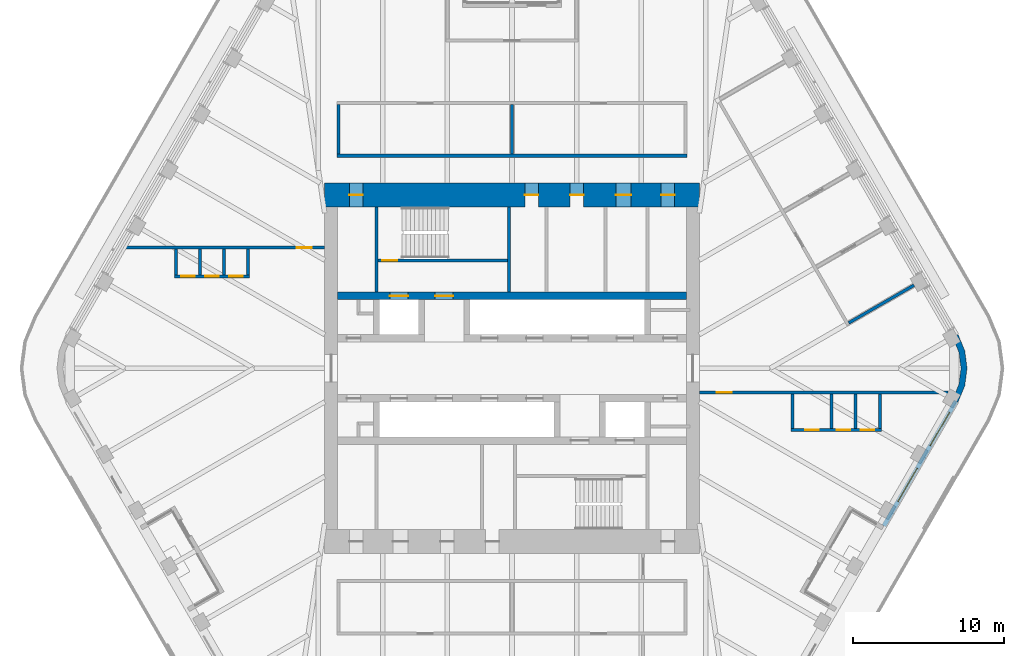
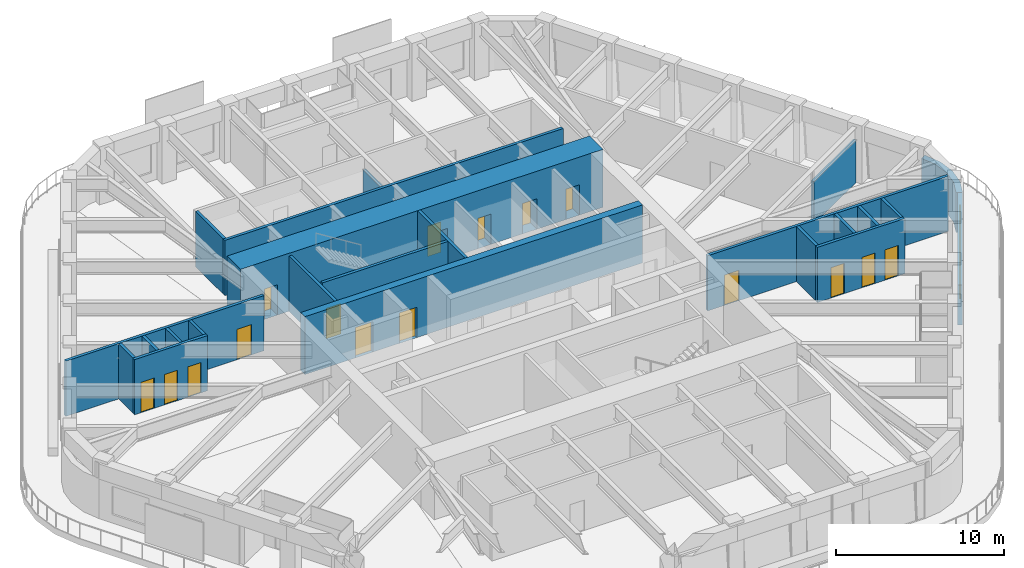
# One storey, part 15 of 19: 23 walls, 16 doors, 2 windows, 18 openings.
"""IFC4 building model written with IfcOpenShell, lengths in metres."""

import ifcopenshell
import ifcopenshell.guid

model = None  # the IFC model being written
_history = None  # IfcOwnerHistory: only IFC2X3 demands one
_inside = {}  # id of a spatial element -> (the spatial element, [elements in it])
_under = {}  # id of a project, library or spatial element -> (it, [spatial elements below it])
_declared = {}  # id of a project -> (the project, [libraries it declares])
_typed = {}  # id of a type object -> (the type object, [elements of that type])
_made_of = {}  # id of a material, layer set ... -> (it, [elements and type objects made of it])


def new_model(schema):
    """Start an empty IFC model of exactly this schema.

    Asked for "IFC4X3", IfcOpenShell would pick the latest addendum, in which some entities
    have other attributes; the version numbers below select the first issue.
    IFC2X3 requires an IfcOwnerHistory on every rooted entity: one is made here for all.
    """
    global model, _history
    if schema == "IFC4X3":
        model = ifcopenshell.file(schema_version=(4, 3, 0, 0))
    else:
        model = ifcopenshell.file(schema=schema)
    _inside.clear()
    _under.clear()
    _declared.clear()
    _typed.clear()
    _made_of.clear()
    _history = None
    if model.schema == "IFC2X3":
        org = make("IfcOrganization", Name="unknown")
        user = make(
            "IfcPersonAndOrganization",
            ThePerson=make("IfcPerson", FamilyName="unknown"),
            TheOrganization=org,
        )
        app = make(
            "IfcApplication",
            ApplicationDeveloper=org,
            Version="unknown",
            ApplicationFullName="unknown",
            ApplicationIdentifier="unknown",
        )
        _history = make(
            "IfcOwnerHistory",
            OwningUser=user,
            OwningApplication=app,
            ChangeAction="ADDED",
            CreationDate=0,
        )
    return model


def make(cls, **values):
    """One entity of the class cls with the attributes given. An attribute that is None is left unset."""
    return model.create_entity(
        cls, **{name: value for name, value in values.items() if value is not None}
    )


def rooted(cls, **values):
    """An entity with a GlobalId (a new one), such as an element, a storey or a relation."""
    return make(cls, GlobalId=ifcopenshell.guid.new(), OwnerHistory=_history, **values)


def si_unit(unit_type, name, prefix=None):
    """IfcSIUnit, for example si_unit("LENGTHUNIT", "METRE", prefix="MILLI")."""
    return make("IfcSIUnit", UnitType=unit_type, Prefix=prefix, Name=name)


def assignment(units):
    """IfcUnitAssignment: the units of a project."""
    return None if units is None else make("IfcUnitAssignment", Units=units)


def point(xyz):
    """IfcCartesianPoint."""
    return None if xyz is None else make("IfcCartesianPoint", Coordinates=xyz)


def direction(xyz):
    """IfcDirection."""
    return None if xyz is None else make("IfcDirection", DirectionRatios=xyz)


def frame(location, z_axis=None, x_axis=None):
    """IfcAxis2Placement3D, a coordinate frame: its origin and axes. An axis left out is left unset."""
    return make(
        "IfcAxis2Placement3D",
        Location=point(location),
        Axis=direction(z_axis),
        RefDirection=direction(x_axis),
    )


def frame_2d(location, x_axis=None):
    """IfcAxis2Placement2D, a coordinate frame in the plane: its origin and x axis."""
    return make(
        "IfcAxis2Placement2D", Location=point(location), RefDirection=direction(x_axis)
    )


def origin():
    """The frame at (0, 0, 0) with its axes left unset."""
    return frame((0.0, 0.0, 0.0))


def place(relative_to, where):
    """IfcLocalPlacement: puts the frame where relative to a parent placement (None: the world)."""
    return make(
        "IfcLocalPlacement", PlacementRelTo=relative_to, RelativePlacement=where
    )


def context(
    kind, dimensions, precision=None, world=None, true_north=None, identifier=None
):
    """IfcGeometricRepresentationContext, for example the 3D "Model" context."""
    return make(
        "IfcGeometricRepresentationContext",
        ContextIdentifier=identifier,
        ContextType=kind,
        CoordinateSpaceDimension=dimensions,
        Precision=precision,
        WorldCoordinateSystem=world,
        TrueNorth=true_north,
    )


def subcontext(parent, identifier, kind, view, scale=None):
    """IfcGeometricRepresentationSubContext, for example "Body" below "Model"."""
    return make(
        "IfcGeometricRepresentationSubContext",
        ContextIdentifier=identifier,
        ContextType=kind,
        ParentContext=parent,
        TargetScale=scale,
        TargetView=view,
    )


def project(units=None, contexts=None):
    """IfcProject with its units and contexts."""
    return rooted(
        "IfcProject",
        Name="project",
        RepresentationContexts=contexts,
        UnitsInContext=assignment(units),
    )


def spatial(cls, under=None, at=None, **own):
    """A site, building, storey or space (cls), placed at a placement, below another one or the project."""
    s = rooted(cls, ObjectPlacement=at, **own)
    if under is not None:
        _under.setdefault(under.id(), (under, []))[1].append(s)
    return s


def polyline(points):
    """IfcPolyline through the points."""
    return make("IfcPolyline", Points=[point(p) for p in points])


def profile(cls, at=None, kind="AREA", **sizes):
    """A parametric profile (cls). Its sizes go by their IFC names, for example OverallWidth=200.0."""
    return make(cls, ProfileType=kind, Position=at, **sizes)


def rectangle(**sizes):
    """IfcRectangleProfileDef."""
    return profile("IfcRectangleProfileDef", **sizes)


def outline(outer, holes=None, kind="AREA"):
    """IfcArbitraryClosedProfileDef: a profile drawn as a closed curve; with holes, ...WithVoids."""
    if holes is None:
        return make("IfcArbitraryClosedProfileDef", ProfileType=kind, OuterCurve=outer)
    return make(
        "IfcArbitraryProfileDefWithVoids",
        ProfileType=kind,
        OuterCurve=outer,
        InnerCurves=holes,
    )


def extrude(swept, where, along, depth):
    """IfcExtrudedAreaSolid: the profile swept, set in the frame where, extruded along a direction by depth."""
    return make(
        "IfcExtrudedAreaSolid",
        SweptArea=swept,
        Position=where,
        ExtrudedDirection=direction(along),
        Depth=depth,
    )


def shape(context_of_items, identifier, shape_type, items):
    """IfcShapeRepresentation: the items that make up one representation, for example the "Body"."""
    return make(
        "IfcShapeRepresentation",
        ContextOfItems=context_of_items,
        RepresentationIdentifier=identifier,
        RepresentationType=shape_type,
        Items=items,
    )


def material(Name=None, Category=None):
    """IfcMaterial."""
    return make("IfcMaterial", Name=Name, Category=Category)


def layer(
    of_material, thickness, ventilated=None, Name=None, Category=None, Priority=None
):
    """IfcMaterialLayer: one layer of a wall or slab, of a material (None: an air gap)."""
    return make(
        "IfcMaterialLayer",
        Material=of_material,
        LayerThickness=thickness,
        IsVentilated=ventilated,
        Name=Name,
        Category=Category,
        Priority=Priority,
    )


def layer_set(layers, Name=None):
    """IfcMaterialLayerSet."""
    return make("IfcMaterialLayerSet", MaterialLayers=layers, LayerSetName=Name)


def made_of(thing, what):
    """Note that an element or type object is made of a material, layer set ...; save() writes the relation."""
    if what is not None:
        _made_of.setdefault(what.id(), (what, []))[1].append(thing)
    return thing


def type_object(cls, material=None, **own):
    """A type object (cls), such as IfcWallType, which elements share."""
    return made_of(rooted(cls, **own), material)


def element(
    cls,
    number,
    at=None,
    inside=None,
    cuts=None,
    type_object=None,
    material=None,
    context=None,
    identifier="Body",
    shape_type=None,
    held_by="IfcProductDefinitionShape",
    body=None,
    shapes=None,
    **own,
):
    """One element of the class cls, such as IfcWall. Its Tag is "e" and its number.

    at: its placement. inside: the storey or other place that contains it. cuts: it is an
    opening in that element (IfcRelVoidsElement). A single representation is given by context,
    identifier, shape_type and body (its items); several are given by shapes. held_by: the class
    of the entity that holds the representations. save() writes the other relations.
    """
    e = rooted(cls, Tag="e%d" % number, ObjectPlacement=at, **own)
    if body is not None:
        shapes = [shape(context, identifier, shape_type, body)]
    if shapes is not None:
        e.Representation = make(held_by, Representations=shapes)
    if inside is not None:
        _inside.setdefault(inside.id(), (inside, []))[1].append(e)
    if cuts is not None:
        rooted(
            "IfcRelVoidsElement", RelatingBuildingElement=cuts, RelatedOpeningElement=e
        )
    if type_object is not None:
        _typed.setdefault(type_object.id(), (type_object, []))[1].append(e)
    return made_of(e, material)


def fill(opening, filler):
    """IfcRelFillsElement: the door or window that sits in an opening."""
    return rooted(
        "IfcRelFillsElement",
        RelatingOpeningElement=opening,
        RelatedBuildingElement=filler,
    )


def aggregate(whole, parts):
    """IfcRelAggregates: a whole, such as a stair, and the parts it consists of."""
    return rooted("IfcRelAggregates", RelatingObject=whole, RelatedObjects=parts)


def save(model, path):
    """Write the relations noted so far, then the file.

    IfcRelAggregates (storeys below a building ...), IfcRelContainedInSpatialStructure (elements
    in a storey), IfcRelDefinesByType, IfcRelAssociatesMaterial and IfcRelDeclares: one each for
    every whole, place, type object, material and project.
    """
    for whole, parts in _under.values():
        aggregate(whole, parts)
    for where, things in _inside.values():
        rooted(
            "IfcRelContainedInSpatialStructure",
            RelatedElements=things,
            RelatingStructure=where,
        )
    for kind, things in _typed.values():
        rooted("IfcRelDefinesByType", RelatedObjects=things, RelatingType=kind)
    for what, things in _made_of.values():
        rooted("IfcRelAssociatesMaterial", RelatedObjects=things, RelatingMaterial=what)
    for by, libraries in _declared.values():
        rooted("IfcRelDeclares", RelatingContext=by, RelatedDefinitions=libraries)
    model.write(path)


model = new_model("IFC4")

# Units and contexts
model_context = context("Model", 3, precision=1e-05, world=origin(), true_north=direction((0.0, 1.0)))
body_context = subcontext(model_context, "Body", "Model", "MODEL_VIEW")
ifc_project = project(units=[si_unit("LENGTHUNIT", "METRE"), si_unit("AREAUNIT", "SQUARE_METRE"), si_unit("VOLUMEUNIT", "CUBIC_METRE"), si_unit("PLANEANGLEUNIT", "RADIAN"), si_unit("MASSUNIT", "GRAM", prefix="KILO")], contexts=[model_context])

# Site, building, storey
site_placement = place(None, origin())
site = spatial("IfcSite", under=ifc_project, at=site_placement, CompositionType="ELEMENT")
building_placement = place(site_placement, origin())
building = spatial("IfcBuilding", under=site, at=building_placement, Name="Tarfa Lantern Tower", CompositionType="ELEMENT")
storey_placement = place(building_placement, frame((0.0, 0.0, 340.89990234375)))
storey = spatial("IfcBuildingStorey", under=building, at=storey_placement, Name="L77", CompositionType="ELEMENT", Elevation=340.89990234375)

# Wall, openings, windows
ifc_material_1 = material(Name="Limestone cladding on blockwork", Category="masonry")
ifc_layer_1 = layer(ifc_material_1, 0.300048828125)
ifc_layer_set_1 = layer_set([ifc_layer_1], Name="EW1 STONE-CLAD WALL 300")
wall_type_1 = type_object("IfcWallType", Name="EW1 STONE-CLAD WALL 300", PredefinedType="SOLIDWALL", material=ifc_layer_set_1)
wall_1_placement = place(storey_placement, frame((24.67724609375, -10.457763671875, 0.0), z_axis=(0.0, 0.0, 1.0), x_axis=(0.499996453679, 0.866027451244, 0.0)))
wall_1 = element("IfcWall", 1, at=wall_1_placement, inside=storey, type_object=wall_type_1, Name="Stone wall SEB", PredefinedType="SOLIDWALL", context=body_context, shape_type="SweptSolid", body=[
    extrude(rectangle(XDim=9.56396484375, YDim=0.300048828125, at=frame_2d((4.781982421875, 0.0))), origin(), (0.0, 0.0, 1.0), 2.900146484375),
])
opening_1_placement = place(wall_1_placement, frame((1.865966796875, 0.0, 0.60009765625)))
opening_1 = element("IfcOpeningElement", 2, at=opening_1_placement, cuts=wall_1, Name="Opening W17", PredefinedType="OPENING", context=body_context, shape_type="SweptSolid", body=[
    extrude(rectangle(XDim=2.550048828125, YDim=2.050048828125, at=frame_2d((1.27490234375, 1.02490234375))), frame((0.0, 0.159912109375, 0.0), z_axis=(0.0, -1.0, 0.0), x_axis=(1.0, 0.0, 0.0)), (0.0, 0.0, 1.0), 0.320068359375),
])
opening_2_placement = place(wall_1_placement, frame((6.14794921875, 0.0, 0.60009765625)))
opening_2 = element("IfcOpeningElement", 3, at=opening_2_placement, cuts=wall_1, Name="Opening W17", PredefinedType="OPENING", context=body_context, shape_type="SweptSolid", body=[
    extrude(rectangle(XDim=2.550048828125, YDim=2.050048828125, at=frame_2d((1.27490234375, 1.02490234375))), frame((0.0, 0.159912109375, 0.0), z_axis=(0.0, -1.0, 0.0), x_axis=(1.0, 0.0, 0.0)), (0.0, 0.0, 1.0), 0.320068359375),
])
ifc_material_2 = material(Name="Aluminium frame, double glazed", Category="aluminium")
window_type = type_object("IfcWindowType", Name="W17 FULL-HEIGHT GLAZING 2550x2050", PartitioningType="SINGLE_PANEL", PredefinedType="WINDOW", material=ifc_material_2)
window_1_placement = place(opening_1_placement, origin())
window_1 = element("IfcWindow", 4, at=window_1_placement, inside=storey, type_object=window_type, Name="Window SEB 1", OverallHeight=2.050048828125, OverallWidth=2.550048828125, PartitioningType="SINGLE_PANEL", PredefinedType="WINDOW", context=body_context, shape_type="SweptSolid", body=[
    extrude(rectangle(XDim=2.550048828125, YDim=2.050048828125, at=frame_2d((1.27490234375, 1.02490234375))), frame((0.0, 0.030029296875, 0.0), z_axis=(0.0, -1.0, 0.0), x_axis=(1.0, 0.0, 0.0)), (0.0, 0.0, 1.0), 0.06005859375),
])
fill(opening_1, window_1)
window_2_placement = place(opening_2_placement, origin())
window_2 = element("IfcWindow", 5, at=window_2_placement, inside=storey, type_object=window_type, Name="Window SEB 2", OverallHeight=2.050048828125, OverallWidth=2.550048828125, PartitioningType="SINGLE_PANEL", PredefinedType="WINDOW", context=body_context, shape_type="SweptSolid", body=[
    extrude(rectangle(XDim=2.550048828125, YDim=2.050048828125, at=frame_2d((1.27490234375, 1.02490234375))), frame((0.0, 0.030029296875, 0.0), z_axis=(0.0, -1.0, 0.0), x_axis=(1.0, 0.0, 0.0)), (0.0, 0.0, 1.0), 0.06005859375),
])
fill(opening_2, window_2)

# Walls
ifc_layer_2 = layer(ifc_material_1, 0.39990234375)
ifc_layer_set_2 = layer_set([ifc_layer_2], Name="EW2 CURVED STONE CORNER 400")
wall_type_2 = type_object("IfcWallType", Name="EW2 CURVED STONE CORNER 400", PredefinedType="SOLIDWALL", material=ifc_layer_set_2)
wall_2_placement = place(storey_placement, origin())
element("IfcWall", 6, at=wall_2_placement, inside=storey, type_object=wall_type_2, Name="Stone corner SE-NE", PredefinedType="SOLIDWALL", context=body_context, shape_type="SweptSolid", body=[
    extrude(outline(polyline([(29.589111328125, -2.25), (30.038818359375, -1.164794921875), (30.192138671875, 0.0), (30.038818359375, 1.164794921875), (29.589111328125, 2.25), (29.24267578125, 2.050048828125), (29.65234375, 1.061279296875), (29.7919921875, 0.0), (29.65234375, -1.061279296875), (29.24267578125, -2.050048828125), (29.589111328125, -2.25)])), origin(), (0.0, 0.0, 1.0), 2.900146484375),
])
ifc_material_3 = material(Name="Concrete blockwork", Category="masonry")
ifc_layer_3 = layer(ifc_material_3, 0.199951171875)
ifc_layer_set_3 = layer_set([ifc_layer_3], Name="IW1 BLOCKWORK PARTITION 200 EI 120")
wall_type_3 = type_object("IfcWallType", Name="IW1 BLOCKWORK PARTITION 200 EI 120", PredefinedType="PARTITIONING", material=ifc_layer_set_3)
wall_3_placement = place(storey_placement, frame((-9.0, 5.050048828125, 0.0), z_axis=(0.0, 0.0, 1.0), x_axis=(0.0, 1.0, 0.0)))
element("IfcWall", 7, at=wall_3_placement, inside=storey, type_object=wall_type_3, Name="Core partition", PredefinedType="PARTITIONING", context=body_context, shape_type="SweptSolid", body=[
    extrude(rectangle(XDim=5.64990234375, YDim=0.199951171875, at=frame_2d((2.824951171875, 0.0))), origin(), (0.0, 0.0, 1.0), 4.0),
])
ifc_material_4 = material(Name="Gypsum board on steel studs", Category="steel")
ifc_layer_4 = layer(ifc_material_4, 0.2099609375)
ifc_layer_set_4 = layer_set([ifc_layer_4], Name="IW2 ACOUSTIC PARTITION 200")
wall_type_4 = type_object("IfcWallType", Name="IW2 ACOUSTIC PARTITION 200", PredefinedType="PARTITIONING", material=ifc_layer_set_4)
wall_4_placement = place(storey_placement, frame((-11.60009765625, 14.10009765625, 0.0), z_axis=(0.0, 0.0, 1.0), x_axis=(1.0, 0.0, 0.0)))
element("IfcWall", 8, at=wall_4_placement, inside=storey, type_object=wall_type_4, Name="Partition", PredefinedType="PARTITIONING", context=body_context, shape_type="SweptSolid", body=[
    extrude(rectangle(XDim=23.2001953125, YDim=0.199951171875, at=frame_2d((11.60009765625, 0.0))), origin(), (0.0, 0.0, 1.0), 4.0),
])
wall_5_placement = place(storey_placement, frame((-11.5, 14.199951171875, 0.0), z_axis=(0.0, 0.0, 1.0), x_axis=(0.0, 1.0, 0.0)))
element("IfcWall", 9, at=wall_5_placement, inside=storey, type_object=wall_type_4, Name="Partition", PredefinedType="PARTITIONING", context=body_context, shape_type="SweptSolid", body=[
    extrude(rectangle(XDim=3.300048828125, YDim=0.199951171875, at=frame_2d((1.64990234375, 0.0))), origin(), (0.0, 0.0, 1.0), 4.0),
])
wall_6_placement = place(storey_placement, frame((0.0, 14.199951171875, 0.0), z_axis=(0.0, 0.0, 1.0), x_axis=(0.0, 1.0, 0.0)))
element("IfcWall", 10, at=wall_6_placement, inside=storey, type_object=wall_type_4, Name="Partition", PredefinedType="PARTITIONING", context=body_context, shape_type="SweptSolid", body=[
    extrude(rectangle(XDim=3.300048828125, YDim=0.199951171875, at=frame_2d((1.64990234375, 0.0))), origin(), (0.0, 0.0, 1.0), 2.991943359375),
])
wall_7_placement = place(storey_placement, frame((22.338623046875, 3.00830078125, 0.0), z_axis=(0.0, 0.0, 1.0), x_axis=(0.866022959057, 0.500004234368, 0.0)))
element("IfcWall", 11, at=wall_7_placement, inside=storey, type_object=wall_type_4, Name="Partition", PredefinedType="PARTITIONING", context=body_context, shape_type="SweptSolid", body=[
    extrude(rectangle(XDim=5.0, YDim=0.199951171875, at=frame_2d((2.5, 0.0))), origin(), (0.0, 0.0, 1.0), 3.081787109375),
])

# Wall, opening, door
wall_8_placement = place(storey_placement, frame((12.425048828125, -1.60009765625, 0.0), z_axis=(0.0, 0.0, 1.0), x_axis=(1.0, 0.0, 0.0)))
wall_8 = element("IfcWall", 12, at=wall_8_placement, inside=storey, type_object=wall_type_4, Name="Partition", PredefinedType="PARTITIONING", context=body_context, shape_type="SweptSolid", body=[
    extrude(rectangle(XDim=16.500244140625, YDim=0.199951171875, at=frame_2d((8.25, 0.0))), origin(), (0.0, 0.0, 1.0), 4.0),
])
opening_3_placement = place(wall_8_placement, frame((1.150146484375, 0.0, 0.0)))
opening_3 = element("IfcOpeningElement", 13, at=opening_3_placement, cuts=wall_8, Name="Opening D35", PredefinedType="OPENING", context=body_context, shape_type="SweptSolid", body=[
    extrude(rectangle(XDim=1.0, YDim=2.199951171875, at=frame_2d((0.5, 1.10009765625))), frame((0.0, 0.10986328125, 0.0), z_axis=(0.0, -1.0, 0.0), x_axis=(1.0, 0.0, 0.0)), (0.0, 0.0, 1.0), 0.219970703125),
])
ifc_material_5 = material(Name="Timber door", Category="wood")
door_type_1 = type_object("IfcDoorType", Name="DR1 ROOM DOOR 1000x2200", OperationType="SINGLE_SWING_LEFT", PredefinedType="DOOR", material=ifc_material_5)
door_1_placement = place(opening_3_placement, frame((1.0, 0.0, 0.0), z_axis=(0.0, 0.0, 1.0), x_axis=(-1.0, 0.0, 0.0)))
door_1 = element("IfcDoor", 14, at=door_1_placement, inside=storey, type_object=door_type_1, Name="Zone door", OperationType="SINGLE_SWING_LEFT", OverallHeight=2.199951171875, OverallWidth=1.0, PredefinedType="DOOR", context=body_context, shape_type="SweptSolid", body=[
    extrude(rectangle(XDim=1.0, YDim=2.199951171875, at=frame_2d((0.5, 1.10009765625))), frame((0.0, 0.02490234375, 0.0), z_axis=(0.0, -1.0, 0.0), x_axis=(1.0, 0.0, 0.0)), (0.0, 0.0, 1.0), 0.050048828125),
])
fill(opening_3, door_1)

wall_9_placement = place(storey_placement, frame((-12.425048828125, 8.0, 0.0), z_axis=(0.0, 0.0, 1.0), x_axis=(-1.0, 0.0, 0.0)))
wall_9 = element("IfcWall", 15, at=wall_9_placement, inside=storey, type_object=wall_type_4, Name="Partition", PredefinedType="PARTITIONING", context=body_context, shape_type="SweptSolid", body=[
    extrude(rectangle(XDim=13.59033203125, YDim=0.199951171875, at=frame_2d((6.795166015625, 0.0))), origin(), (0.0, 0.0, 1.0), 4.0),
])
opening_4_placement = place(wall_9_placement, frame((0.859130859375, 0.0, 0.0)))
opening_4 = element("IfcOpeningElement", 16, at=opening_4_placement, cuts=wall_9, Name="Opening D37", PredefinedType="OPENING", context=body_context, shape_type="SweptSolid", body=[
    extrude(rectangle(XDim=1.0, YDim=2.199951171875, at=frame_2d((0.5, 1.10009765625))), frame((0.0, 0.10986328125, 0.0), z_axis=(0.0, -1.0, 0.0), x_axis=(1.0, 0.0, 0.0)), (0.0, 0.0, 1.0), 0.219970703125),
])
door_2_placement = place(opening_4_placement, frame((1.0, 0.0, 0.0), z_axis=(0.0, 0.0, 1.0), x_axis=(-1.0, 0.0, 0.0)))
door_2 = element("IfcDoor", 17, at=door_2_placement, inside=storey, type_object=door_type_1, Name="Zone door", OperationType="SINGLE_SWING_LEFT", OverallHeight=2.199951171875, OverallWidth=1.0, PredefinedType="DOOR", context=body_context, shape_type="SweptSolid", body=[
    extrude(rectangle(XDim=1.0, YDim=2.199951171875, at=frame_2d((0.5, 1.10009765625))), frame((0.0, 0.02490234375, 0.0), z_axis=(0.0, -1.0, 0.0), x_axis=(1.0, 0.0, 0.0)), (0.0, 0.0, 1.0), 0.050048828125),
])
fill(opening_4, door_2)

# Wall, openings, doors
wall_10_placement = place(storey_placement, frame((18.500244140625, -4.10009765625, 0.0), z_axis=(0.0, 0.0, 1.0), x_axis=(1.0, 0.0, 0.0)))
wall_10 = element("IfcWall", 18, at=wall_10_placement, inside=storey, type_object=wall_type_4, Name="Partition", PredefinedType="PARTITIONING", context=body_context, shape_type="SweptSolid", body=[
    extrude(rectangle(XDim=6.0, YDim=0.199951171875, at=frame_2d((3.0, 0.0))), origin(), (0.0, 0.0, 1.0), 4.0),
])
opening_5_placement = place(wall_10_placement, frame((0.949951171875, 0.0, 0.0)))
opening_5 = element("IfcOpeningElement", 19, at=opening_5_placement, cuts=wall_10, Name="Opening D29", PredefinedType="OPENING", context=body_context, shape_type="SweptSolid", body=[
    extrude(rectangle(XDim=0.89990234375, YDim=2.199951171875, at=frame_2d((0.449951171875, 1.10009765625))), frame((0.0, 0.10986328125, 0.0), z_axis=(0.0, -1.0, 0.0), x_axis=(1.0, 0.0, 0.0)), (0.0, 0.0, 1.0), 0.219970703125),
])
opening_6_placement = place(wall_10_placement, frame((3.050048828125, 0.0, 0.0)))
opening_6 = element("IfcOpeningElement", 20, at=opening_6_placement, cuts=wall_10, Name="Opening D30", PredefinedType="OPENING", context=body_context, shape_type="SweptSolid", body=[
    extrude(rectangle(XDim=0.89990234375, YDim=2.199951171875, at=frame_2d((0.449951171875, 1.10009765625))), frame((0.0, 0.10986328125, 0.0), z_axis=(0.0, -1.0, 0.0), x_axis=(1.0, 0.0, 0.0)), (0.0, 0.0, 1.0), 0.219970703125),
])
opening_7_placement = place(wall_10_placement, frame((4.64990234375, 0.0, 0.0)))
opening_7 = element("IfcOpeningElement", 21, at=opening_7_placement, cuts=wall_10, Name="Opening D31", PredefinedType="OPENING", context=body_context, shape_type="SweptSolid", body=[
    extrude(rectangle(XDim=0.89990234375, YDim=2.199951171875, at=frame_2d((0.449951171875, 1.10009765625))), frame((0.0, 0.10986328125, 0.0), z_axis=(0.0, -1.0, 0.0), x_axis=(1.0, 0.0, 0.0)), (0.0, 0.0, 1.0), 0.219970703125),
])
door_type_2 = type_object("IfcDoorType", Name="DR3 ROOM DOOR 900x2200", OperationType="SINGLE_SWING_LEFT", PredefinedType="DOOR", material=ifc_material_5)
door_3_placement = place(opening_5_placement, origin())
door_3 = element("IfcDoor", 22, at=door_3_placement, inside=storey, type_object=door_type_2, Name="Print and copy room door", OperationType="SINGLE_SWING_RIGHT", OverallHeight=2.199951171875, OverallWidth=0.89990234375, PredefinedType="DOOR", context=body_context, shape_type="SweptSolid", body=[
    extrude(rectangle(XDim=0.89990234375, YDim=2.199951171875, at=frame_2d((0.449951171875, 1.10009765625))), frame((0.0, 0.02490234375, 0.0), z_axis=(0.0, -1.0, 0.0), x_axis=(1.0, 0.0, 0.0)), (0.0, 0.0, 1.0), 0.050048828125),
])
fill(opening_5, door_3)
door_4_placement = place(opening_6_placement, origin())
door_4 = element("IfcDoor", 23, at=door_4_placement, inside=storey, type_object=door_type_2, Name="Phone booth door", OperationType="SINGLE_SWING_LEFT", OverallHeight=2.199951171875, OverallWidth=0.89990234375, PredefinedType="DOOR", context=body_context, shape_type="SweptSolid", body=[
    extrude(rectangle(XDim=0.89990234375, YDim=2.199951171875, at=frame_2d((0.449951171875, 1.10009765625))), frame((0.0, 0.02490234375, 0.0), z_axis=(0.0, -1.0, 0.0), x_axis=(1.0, 0.0, 0.0)), (0.0, 0.0, 1.0), 0.050048828125),
])
fill(opening_6, door_4)
door_5_placement = place(opening_7_placement, origin())
door_5 = element("IfcDoor", 24, at=door_5_placement, inside=storey, type_object=door_type_2, Name="Phone booth door", OperationType="SINGLE_SWING_LEFT", OverallHeight=2.199951171875, OverallWidth=0.89990234375, PredefinedType="DOOR", context=body_context, shape_type="SweptSolid", body=[
    extrude(rectangle(XDim=0.89990234375, YDim=2.199951171875, at=frame_2d((0.449951171875, 1.10009765625))), frame((0.0, 0.02490234375, 0.0), z_axis=(0.0, -1.0, 0.0), x_axis=(1.0, 0.0, 0.0)), (0.0, 0.0, 1.0), 0.050048828125),
])
fill(opening_7, door_5)

# Walls
for number, where, z_axis, x_axis, name in (
    (25, (18.60009765625, -1.699951171875, 0.0), (0.0, 0.0, 1.0), (0.0, -1.0, 0.0), "Partition"),
    (26, (21.2001953125, -1.699951171875, 0.0), (0.0, 0.0, 1.0), (0.0, -1.0, 0.0), "Partition"),
    (27, (22.800048828125, -1.699951171875, 0.0), (0.0, 0.0, 1.0), (0.0, -1.0, 0.0), "Partition"),
    (28, (24.400146484375, -1.699951171875, 0.0), (0.0, 0.0, 1.0), (0.0, -1.0, 0.0), "Partition"),
):
    element("IfcWall", number, at=place(storey_placement, frame(where, z_axis=z_axis, x_axis=x_axis)), inside=storey, type_object=wall_type_4, Name=name, PredefinedType="PARTITIONING", context=body_context, shape_type="SweptSolid", body=[
        extrude(rectangle(XDim=2.300048828125, YDim=0.199951171875, at=frame_2d((1.14990234375, 0.0))), origin(), (0.0, 0.0, 1.0), 4.0),
    ])

# Wall, openings, doors
wall_11_placement = place(storey_placement, frame((-17.399658203125, 6.10009765625, 0.0), z_axis=(0.0, 0.0, 1.0), x_axis=(-1.0, 0.0, 0.0)))
wall_11 = element("IfcWall", 29, at=wall_11_placement, inside=storey, type_object=wall_type_4, Name="Partition", PredefinedType="PARTITIONING", context=body_context, shape_type="SweptSolid", body=[
    extrude(rectangle(XDim=5.0, YDim=0.199951171875, at=frame_2d((2.5, 0.0))), origin(), (0.0, 0.0, 1.0), 4.0),
])
opening_8_placement = place(wall_11_placement, frame((0.449951171875, 0.0, 0.0)))
opening_8 = element("IfcOpeningElement", 30, at=opening_8_placement, cuts=wall_11, Name="Opening D32", PredefinedType="OPENING", context=body_context, shape_type="SweptSolid", body=[
    extrude(rectangle(XDim=0.89990234375, YDim=2.199951171875, at=frame_2d((0.449951171875, 1.10009765625))), frame((0.0, 0.10986328125, 0.0), z_axis=(0.0, -1.0, 0.0), x_axis=(1.0, 0.0, 0.0)), (0.0, 0.0, 1.0), 0.219970703125),
])
opening_9_placement = place(wall_11_placement, frame((2.050048828125, 0.0, 0.0)))
opening_9 = element("IfcOpeningElement", 31, at=opening_9_placement, cuts=wall_11, Name="Opening D33", PredefinedType="OPENING", context=body_context, shape_type="SweptSolid", body=[
    extrude(rectangle(XDim=0.89990234375, YDim=2.199951171875, at=frame_2d((0.449951171875, 1.10009765625))), frame((0.0, 0.10986328125, 0.0), z_axis=(0.0, -1.0, 0.0), x_axis=(1.0, 0.0, 0.0)), (0.0, 0.0, 1.0), 0.219970703125),
])
opening_10_placement = place(wall_11_placement, frame((3.64990234375, 0.0, 0.0)))
opening_10 = element("IfcOpeningElement", 32, at=opening_10_placement, cuts=wall_11, Name="Opening D34", PredefinedType="OPENING", context=body_context, shape_type="SweptSolid", body=[
    extrude(rectangle(XDim=0.89990234375, YDim=2.199951171875, at=frame_2d((0.449951171875, 1.10009765625))), frame((0.0, 0.10986328125, 0.0), z_axis=(0.0, -1.0, 0.0), x_axis=(1.0, 0.0, 0.0)), (0.0, 0.0, 1.0), 0.219970703125),
])
door_6_placement = place(opening_8_placement, frame((0.89990234375, 0.0, 0.0), z_axis=(0.0, 0.0, 1.0), x_axis=(-1.0, 0.0, 0.0)))
door_6 = element("IfcDoor", 33, at=door_6_placement, inside=storey, type_object=door_type_2, Name="Phone booth door", OperationType="SINGLE_SWING_LEFT", OverallHeight=2.199951171875, OverallWidth=0.89990234375, PredefinedType="DOOR", context=body_context, shape_type="SweptSolid", body=[
    extrude(rectangle(XDim=0.89990234375, YDim=2.199951171875, at=frame_2d((0.449951171875, 1.10009765625))), frame((0.0, 0.02490234375, 0.0), z_axis=(0.0, -1.0, 0.0), x_axis=(1.0, 0.0, 0.0)), (0.0, 0.0, 1.0), 0.050048828125),
])
fill(opening_8, door_6)
door_7_placement = place(opening_9_placement, frame((0.89990234375, 0.0, 0.0), z_axis=(0.0, 0.0, 1.0), x_axis=(-1.0, 0.0, 0.0)))
door_7 = element("IfcDoor", 34, at=door_7_placement, inside=storey, type_object=door_type_2, Name="Phone booth door", OperationType="SINGLE_SWING_LEFT", OverallHeight=2.199951171875, OverallWidth=0.89990234375, PredefinedType="DOOR", context=body_context, shape_type="SweptSolid", body=[
    extrude(rectangle(XDim=0.89990234375, YDim=2.199951171875, at=frame_2d((0.449951171875, 1.10009765625))), frame((0.0, 0.02490234375, 0.0), z_axis=(0.0, -1.0, 0.0), x_axis=(1.0, 0.0, 0.0)), (0.0, 0.0, 1.0), 0.050048828125),
])
fill(opening_9, door_7)
door_8_placement = place(opening_10_placement, frame((0.89990234375, 0.0, 0.0), z_axis=(0.0, 0.0, 1.0), x_axis=(-1.0, 0.0, 0.0)))
door_8 = element("IfcDoor", 35, at=door_8_placement, inside=storey, type_object=door_type_2, Name="Phone booth door", OperationType="SINGLE_SWING_RIGHT", OverallHeight=2.199951171875, OverallWidth=0.89990234375, PredefinedType="DOOR", context=body_context, shape_type="SweptSolid", body=[
    extrude(rectangle(XDim=0.89990234375, YDim=2.199951171875, at=frame_2d((0.449951171875, 1.10009765625))), frame((0.0, 0.02490234375, 0.0), z_axis=(0.0, -1.0, 0.0), x_axis=(1.0, 0.0, 0.0)), (0.0, 0.0, 1.0), 0.050048828125),
])
fill(opening_10, door_8)

# Walls
for number, where, z_axis, x_axis, name in (
    (36, (-17.499755859375, 7.89990234375, 0.0), (0.0, 0.0, 1.0), (0.0, -1.0, 0.0), "Partition"),
    (37, (-19.099609375, 7.89990234375, 0.0), (0.0, 0.0, 1.0), (0.0, -1.0, 0.0), "Partition"),
    (38, (-20.69970703125, 7.89990234375, 0.0), (0.0, 0.0, 1.0), (0.0, -1.0, 0.0), "Partition"),
    (39, (-22.299560546875, 7.89990234375, 0.0), (0.0, 0.0, 1.0), (0.0, -1.0, 0.0), "Partition"),
):
    element("IfcWall", number, at=place(storey_placement, frame(where, z_axis=z_axis, x_axis=x_axis)), inside=storey, type_object=wall_type_4, Name=name, PredefinedType="PARTITIONING", context=body_context, shape_type="SweptSolid", body=[
        extrude(rectangle(XDim=1.699951171875, YDim=0.199951171875, at=frame_2d((0.85009765625, 0.0))), origin(), (0.0, 0.0, 1.0), 4.0),
    ])
ifc_material_6 = material(Name="Concrete C80/95", Category="concrete")
ifc_layer_5 = layer(ifc_material_6, 0.199951171875)
ifc_layer_set_5 = layer_set([ifc_layer_5], Name="SW12 CORE WALL 200")
wall_type_5 = type_object("IfcWallType", Name="SW12 CORE WALL 200", PredefinedType="SHEAR", material=ifc_layer_set_5)
wall_12_placement = place(storey_placement, frame((-0.199951171875, 5.050048828125, 0.0), z_axis=(0.0, 0.0, 1.0), x_axis=(0.0, 1.0, 0.0)))
element("IfcWall", 40, at=wall_12_placement, inside=storey, type_object=wall_type_5, Name="Core wall stair shaft N", PredefinedType="SHEAR", context=body_context, shape_type="SweptSolid", body=[
    extrude(rectangle(XDim=5.64990234375, YDim=0.199951171875, at=frame_2d((2.824951171875, 0.0))), origin(), (0.0, 0.0, 1.0), 4.2001953125),
])

# Wall, opening, door
wall_13_placement = place(storey_placement, frame((-8.89990234375, 7.14990234375, 0.0), z_axis=(0.0, 0.0, 1.0), x_axis=(1.0, 0.0, 0.0)))
wall_13 = element("IfcWall", 41, at=wall_13_placement, inside=storey, type_object=wall_type_5, Name="Core wall stair partition N", PredefinedType="SHEAR", context=body_context, shape_type="SweptSolid", body=[
    extrude(rectangle(XDim=8.599853515625, YDim=0.199951171875, at=frame_2d((4.2998046875, 0.0))), origin(), (0.0, 0.0, 1.0), 4.2001953125),
])
opening_11_placement = place(wall_13_placement, frame((0.300048828125, 0.0, 0.0)))
opening_11 = element("IfcOpeningElement", 42, at=opening_11_placement, cuts=wall_13, Name="Opening D19", PredefinedType="OPENING", context=body_context, shape_type="SweptSolid", body=[
    extrude(rectangle(XDim=1.0, YDim=2.199951171875, at=frame_2d((0.5, 1.10009765625))), frame((0.0, 0.10986328125, 0.0), z_axis=(0.0, -1.0, 0.0), x_axis=(1.0, 0.0, 0.0)), (0.0, 0.0, 1.0), 0.219970703125),
])
ifc_material_7 = material(Name="Steel fire door", Category="steel")
door_type_3 = type_object("IfcDoorType", Name="DF2 STAIR DOOR 1000x2200", OperationType="SINGLE_SWING_LEFT", PredefinedType="DOOR", material=ifc_material_7)
door_9_placement = place(opening_11_placement, origin())
door_9 = element("IfcDoor", 43, at=door_9_placement, inside=storey, type_object=door_type_3, Name="Stair door", OperationType="SINGLE_SWING_RIGHT", OverallHeight=2.199951171875, OverallWidth=1.0, PredefinedType="DOOR", context=body_context, shape_type="SweptSolid", body=[
    extrude(rectangle(XDim=1.0, YDim=2.199951171875, at=frame_2d((0.5, 1.10009765625))), frame((0.0, 0.02490234375, 0.0), z_axis=(0.0, -1.0, 0.0), x_axis=(1.0, 0.0, 0.0)), (0.0, 0.0, 1.0), 0.050048828125),
])
fill(opening_11, door_9)

# Wall, openings, doors
ifc_layer_6 = layer(ifc_material_6, 0.5)
ifc_layer_set_6 = layer_set([ifc_layer_6], Name="SW5 CORE WALL 500")
wall_type_6 = type_object("IfcWallType", Name="SW5 CORE WALL 500", PredefinedType="SHEAR", material=ifc_layer_set_6)
wall_14_placement = place(storey_placement, frame((-11.574951171875, 4.800048828125, 0.0), z_axis=(0.0, 0.0, 1.0), x_axis=(1.0, 0.0, 0.0)))
wall_14 = element("IfcWall", 44, at=wall_14_placement, inside=storey, type_object=wall_type_6, Name="Core wall rear N", PredefinedType="SHEAR", context=body_context, shape_type="SweptSolid", body=[
    extrude(rectangle(XDim=23.14990234375, YDim=0.5, at=frame_2d((11.574951171875, 0.0))), origin(), (0.0, 0.0, 1.0), 4.2001953125),
])
opening_12_placement = place(wall_14_placement, frame((6.47509765625, 0.0, 0.0)))
opening_12 = element("IfcOpeningElement", 45, at=opening_12_placement, cuts=wall_14, Name="Opening D05", PredefinedType="OPENING", context=body_context, shape_type="SweptSolid", body=[
    extrude(rectangle(XDim=1.199951171875, YDim=2.199951171875, at=frame_2d((0.60009765625, 1.10009765625))), frame((0.0, 0.260009765625, 0.0), z_axis=(0.0, -1.0, 0.0), x_axis=(1.0, 0.0, 0.0)), (0.0, 0.0, 1.0), 0.52001953125),
])
opening_13_placement = place(wall_14_placement, frame((3.47509765625, 0.0, 0.0)))
opening_13 = element("IfcOpeningElement", 46, at=opening_13_placement, cuts=wall_14, Name="Opening LD01", PredefinedType="OPENING", context=body_context, shape_type="SweptSolid", body=[
    extrude(rectangle(XDim=1.199951171875, YDim=2.199951171875, at=frame_2d((0.60009765625, 1.10009765625))), frame((0.0, 0.260009765625, 0.0), z_axis=(0.0, -1.0, 0.0), x_axis=(1.0, 0.0, 0.0)), (0.0, 0.0, 1.0), 0.52001953125),
])
door_type_4 = type_object("IfcDoorType", Name="DF1 FIREFIGHTING LOBBY DOOR 1200x2200", OperationType="SINGLE_SWING_LEFT", PredefinedType="DOOR", material=ifc_material_7)
door_10_placement = place(opening_12_placement, origin())
door_10 = element("IfcDoor", 47, at=door_10_placement, inside=storey, type_object=door_type_4, Name="Firefighting lobby door", OperationType="SINGLE_SWING_LEFT", OverallHeight=2.199951171875, OverallWidth=1.199951171875, PredefinedType="DOOR", context=body_context, shape_type="SweptSolid", body=[
    extrude(rectangle(XDim=1.199951171875, YDim=2.199951171875, at=frame_2d((0.60009765625, 1.10009765625))), frame((0.0, 0.02490234375, 0.0), z_axis=(0.0, -1.0, 0.0), x_axis=(1.0, 0.0, 0.0)), (0.0, 0.0, 1.0), 0.050048828125),
])
fill(opening_12, door_10)
ifc_material_8 = material(Name="Stainless steel lift door", Category="steel")
door_type_5 = type_object("IfcDoorType", Name="LD1 LIFT LANDING DOOR 1200x2200", OperationType="SLIDING_TO_LEFT", PredefinedType="DOOR", material=ifc_material_8)
door_11_placement = place(opening_13_placement, origin())
door_11 = element("IfcDoor", 48, at=door_11_placement, inside=storey, type_object=door_type_5, Name="Landing door FL1", OperationType="SLIDING_TO_LEFT", OverallHeight=2.199951171875, OverallWidth=1.199951171875, PredefinedType="DOOR", context=body_context, shape_type="SweptSolid", body=[
    extrude(rectangle(XDim=1.199951171875, YDim=2.199951171875, at=frame_2d((0.60009765625, 1.10009765625))), frame((0.0, 0.02490234375, 0.0), z_axis=(0.0, -1.0, 0.0), x_axis=(1.0, 0.0, 0.0)), (0.0, 0.0, 1.0), 0.050048828125),
])
fill(opening_13, door_11)

ifc_layer_7 = layer(ifc_material_6, 1.60009765625)
ifc_layer_set_7 = layer_set([ifc_layer_7], Name="SW7 CORE WALL 1600")
wall_type_7 = type_object("IfcWallType", Name="SW7 CORE WALL 1600", PredefinedType="SHEAR", material=ifc_layer_set_7)
wall_15_placement = place(storey_placement, frame((-12.425048828125, 11.5, 0.0), z_axis=(0.0, 0.0, 1.0), x_axis=(1.0, 0.0, 0.0)))
wall_15 = element("IfcWall", 49, at=wall_15_placement, inside=storey, type_object=wall_type_7, Name="Core wall N", PredefinedType="SHEAR", context=body_context, shape_type="SweptSolid", body=[
    extrude(rectangle(XDim=24.85009765625, YDim=1.60009765625, at=frame_2d((12.425048828125, 0.0))), origin(), (0.0, 0.0, 1.0), 4.2001953125),
])
opening_14_placement = place(wall_15_placement, frame((13.27490234375, 0.0, 0.0)))
opening_14 = element("IfcOpeningElement", 50, at=opening_14_placement, cuts=wall_15, Name="Opening D13", PredefinedType="OPENING", context=body_context, shape_type="SweptSolid", body=[
    extrude(rectangle(XDim=0.89990234375, YDim=2.199951171875, at=frame_2d((0.449951171875, 1.10009765625))), frame((0.0, 0.81005859375, 0.0), z_axis=(0.0, -1.0, 0.0), x_axis=(1.0, 0.0, 0.0)), (0.0, 0.0, 1.0), 1.6201171875),
])
opening_15_placement = place(wall_15_placement, frame((16.27490234375, 0.0, 0.0)))
opening_15 = element("IfcOpeningElement", 51, at=opening_15_placement, cuts=wall_15, Name="Opening D15", PredefinedType="OPENING", context=body_context, shape_type="SweptSolid", body=[
    extrude(rectangle(XDim=0.89990234375, YDim=2.199951171875, at=frame_2d((0.449951171875, 1.10009765625))), frame((0.0, 0.81005859375, 0.0), z_axis=(0.0, -1.0, 0.0), x_axis=(1.0, 0.0, 0.0)), (0.0, 0.0, 1.0), 1.6201171875),
])
opening_16_placement = place(wall_15_placement, frame((19.324951171875, 0.0, 0.0)))
opening_16 = element("IfcOpeningElement", 52, at=opening_16_placement, cuts=wall_15, Name="Opening D17", PredefinedType="OPENING", context=body_context, shape_type="SweptSolid", body=[
    extrude(rectangle(XDim=1.0, YDim=2.199951171875, at=frame_2d((0.5, 1.10009765625))), frame((0.0, 0.81005859375, 0.0), z_axis=(0.0, -1.0, 0.0), x_axis=(1.0, 0.0, 0.0)), (0.0, 0.0, 1.0), 1.6201171875),
])
opening_17_placement = place(wall_15_placement, frame((1.637451171875, 0.0, 0.0)))
opening_17 = element("IfcOpeningElement", 53, at=opening_17_placement, cuts=wall_15, Name="Opening D03", PredefinedType="OPENING", context=body_context, shape_type="SweptSolid", body=[
    extrude(rectangle(XDim=0.89990234375, YDim=2.199951171875, at=frame_2d((0.449951171875, 1.10009765625))), frame((0.0, 0.81005859375, 0.0), z_axis=(0.0, -1.0, 0.0), x_axis=(1.0, 0.0, 0.0)), (0.0, 0.0, 1.0), 1.6201171875),
])
opening_18_placement = place(wall_15_placement, frame((22.3125, 0.0, 0.0)))
opening_18 = element("IfcOpeningElement", 54, at=opening_18_placement, cuts=wall_15, Name="Opening D01", PredefinedType="OPENING", context=body_context, shape_type="SweptSolid", body=[
    extrude(rectangle(XDim=0.89990234375, YDim=2.199951171875, at=frame_2d((0.449951171875, 1.10009765625))), frame((0.0, 0.81005859375, 0.0), z_axis=(0.0, -1.0, 0.0), x_axis=(1.0, 0.0, 0.0)), (0.0, 0.0, 1.0), 1.6201171875),
])
door_type_6 = type_object("IfcDoorType", Name="DF3 CORE ROOM DOOR 900x2200", OperationType="SINGLE_SWING_LEFT", PredefinedType="DOOR", material=ifc_material_7)
door_12_placement = place(opening_14_placement, frame((0.89990234375, 0.0, 0.0), z_axis=(0.0, 0.0, 1.0), x_axis=(-1.0, 0.0, 0.0)))
door_12 = element("IfcDoor", 55, at=door_12_placement, inside=storey, type_object=door_type_6, Name="Core door", OperationType="SINGLE_SWING_RIGHT", OverallHeight=2.199951171875, OverallWidth=0.89990234375, PredefinedType="DOOR", context=body_context, shape_type="SweptSolid", body=[
    extrude(rectangle(XDim=0.89990234375, YDim=2.199951171875, at=frame_2d((0.449951171875, 1.10009765625))), frame((0.0, 0.02490234375, 0.0), z_axis=(0.0, -1.0, 0.0), x_axis=(1.0, 0.0, 0.0)), (0.0, 0.0, 1.0), 0.050048828125),
])
fill(opening_14, door_12)
door_13_placement = place(opening_15_placement, frame((0.89990234375, 0.0, 0.0), z_axis=(0.0, 0.0, 1.0), x_axis=(-1.0, 0.0, 0.0)))
door_13 = element("IfcDoor", 56, at=door_13_placement, inside=storey, type_object=door_type_6, Name="Core door", OperationType="SINGLE_SWING_RIGHT", OverallHeight=2.199951171875, OverallWidth=0.89990234375, PredefinedType="DOOR", context=body_context, shape_type="SweptSolid", body=[
    extrude(rectangle(XDim=0.89990234375, YDim=2.199951171875, at=frame_2d((0.449951171875, 1.10009765625))), frame((0.0, 0.02490234375, 0.0), z_axis=(0.0, -1.0, 0.0), x_axis=(1.0, 0.0, 0.0)), (0.0, 0.0, 1.0), 0.050048828125),
])
fill(opening_15, door_13)
door_type_7 = type_object("IfcDoorType", Name="DF4 CORE ROOM DOOR 1000x2200", OperationType="SINGLE_SWING_LEFT", PredefinedType="DOOR", material=ifc_material_7)
door_14_placement = place(opening_16_placement, frame((1.0, 0.0, 0.0), z_axis=(0.0, 0.0, 1.0), x_axis=(-1.0, 0.0, 0.0)))
door_14 = element("IfcDoor", 57, at=door_14_placement, inside=storey, type_object=door_type_7, Name="Core door", OperationType="SINGLE_SWING_LEFT", OverallHeight=2.199951171875, OverallWidth=1.0, PredefinedType="DOOR", context=body_context, shape_type="SweptSolid", body=[
    extrude(rectangle(XDim=1.0, YDim=2.199951171875, at=frame_2d((0.5, 1.10009765625))), frame((0.0, 0.02490234375, 0.0), z_axis=(0.0, -1.0, 0.0), x_axis=(1.0, 0.0, 0.0)), (0.0, 0.0, 1.0), 0.050048828125),
])
fill(opening_16, door_14)
door_type_8 = type_object("IfcDoorType", Name="DF5 RISER DOOR 900x2200", OperationType="SINGLE_SWING_LEFT", PredefinedType="DOOR", material=ifc_material_7)
door_15_placement = place(opening_17_placement, frame((0.89990234375, 0.0, 0.0), z_axis=(0.0, 0.0, 1.0), x_axis=(-1.0, 0.0, 0.0)))
door_15 = element("IfcDoor", 58, at=door_15_placement, inside=storey, type_object=door_type_8, Name="Riser door", OperationType="SINGLE_SWING_LEFT", OverallHeight=2.199951171875, OverallWidth=0.89990234375, PredefinedType="DOOR", context=body_context, shape_type="SweptSolid", body=[
    extrude(rectangle(XDim=0.89990234375, YDim=2.199951171875, at=frame_2d((0.449951171875, 1.10009765625))), frame((0.0, 0.02490234375, 0.0), z_axis=(0.0, -1.0, 0.0), x_axis=(1.0, 0.0, 0.0)), (0.0, 0.0, 1.0), 0.050048828125),
])
fill(opening_17, door_15)
door_16_placement = place(opening_18_placement, frame((0.89990234375, 0.0, 0.0), z_axis=(0.0, 0.0, 1.0), x_axis=(-1.0, 0.0, 0.0)))
door_16 = element("IfcDoor", 59, at=door_16_placement, inside=storey, type_object=door_type_8, Name="Riser door", OperationType="SINGLE_SWING_RIGHT", OverallHeight=2.199951171875, OverallWidth=0.89990234375, PredefinedType="DOOR", context=body_context, shape_type="SweptSolid", body=[
    extrude(rectangle(XDim=0.89990234375, YDim=2.199951171875, at=frame_2d((0.449951171875, 1.10009765625))), frame((0.0, 0.02490234375, 0.0), z_axis=(0.0, -1.0, 0.0), x_axis=(1.0, 0.0, 0.0)), (0.0, 0.0, 1.0), 0.050048828125),
])
fill(opening_18, door_16)

save(model, "model.ifc")
